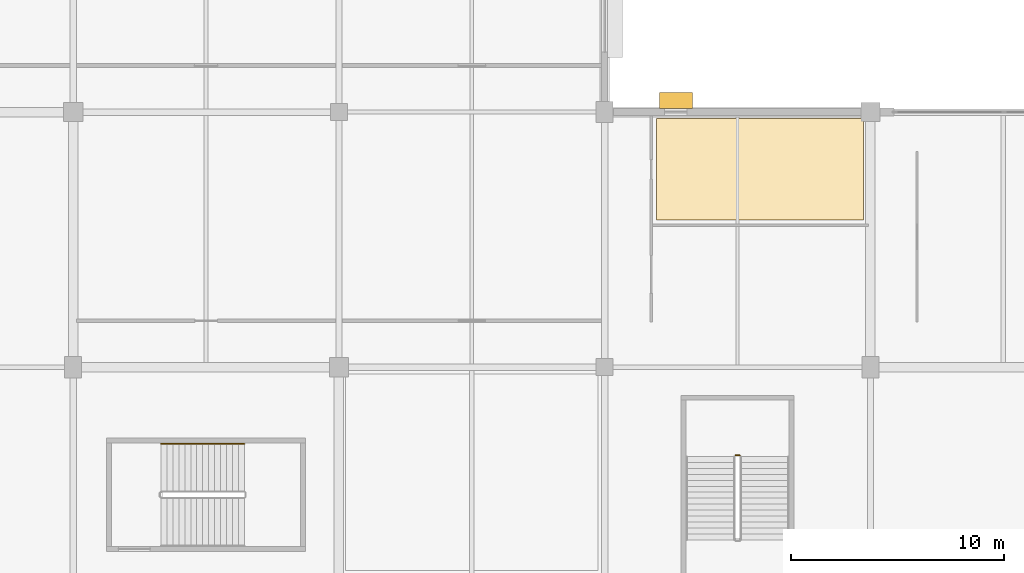
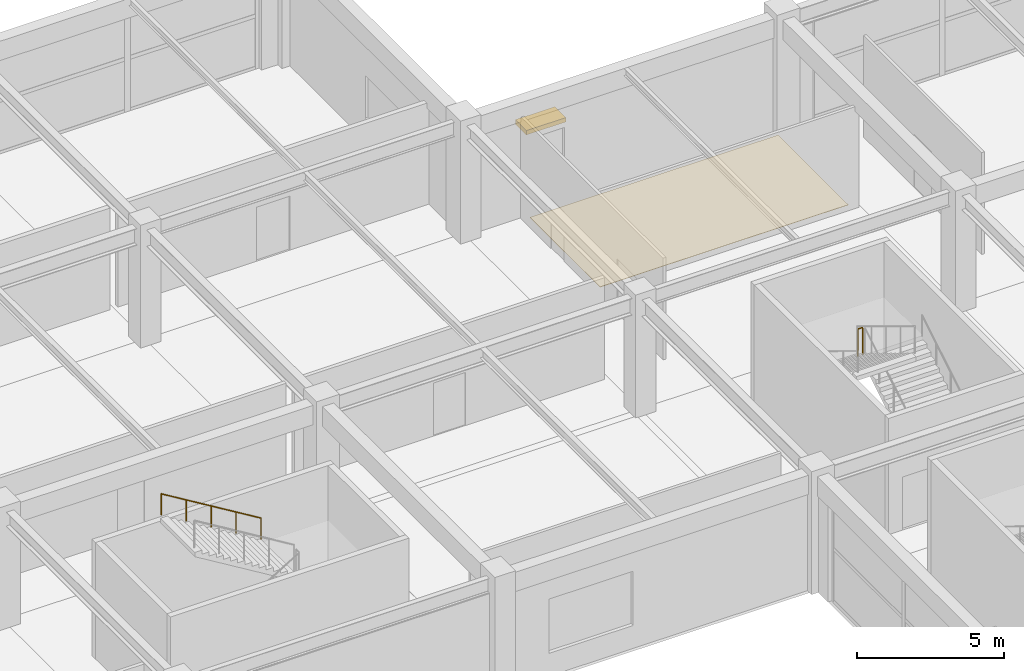
# One storey, part 115 of 116: 2 railings, 1 covering, 1 shading device.
"""IFC4 building model written with IfcOpenShell, lengths in metres."""

from ifc_helpers import new_model, si_unit, direction, frame, origin, origin_2d, place, context, subcontext, project, spatial, polyline, rectangle, circle, outline, extrude, material, layer, layer_set, type_object, element, save


model = new_model("IFC4")

# Units and contexts
model_context = context("Model", 3, precision=1e-05, world=origin(), true_north=direction((0.0, 1.0)))
body_context = subcontext(model_context, "Body", "Model", "MODEL_VIEW")
ifc_project = project(units=[si_unit("LENGTHUNIT", "METRE"), si_unit("AREAUNIT", "SQUARE_METRE"), si_unit("VOLUMEUNIT", "CUBIC_METRE"), si_unit("PLANEANGLEUNIT", "RADIAN"), si_unit("MASSUNIT", "GRAM", prefix="KILO")], contexts=[model_context])

# Site, building, storey
site_placement = place(None, origin())
site = spatial("IfcSite", under=ifc_project, at=site_placement, CompositionType="ELEMENT")
building_placement = place(site_placement, origin())
building = spatial("IfcBuilding", under=site, at=building_placement, Name="Kazenohara Klinker Stadium", CompositionType="ELEMENT")
storey_placement = place(building_placement, frame((0.0, 0.0, 10.199951171875)))
storey = spatial("IfcBuildingStorey", under=building, at=storey_placement, Name="L02", CompositionType="ELEMENT", Elevation=10.199951171875)

# Covering
ifc_material_1 = material(Name="Cushioned EPDM sports rubber flooring", Category="rubber")
ifc_layer_1 = layer(ifc_material_1, 0.014892578125)
ifc_layer_set_1 = layer_set([ifc_layer_1], Name="Cushioned EPDM sports rubber flooring")
covering_type = type_object("IfcCoveringType", Name="COV-FLR-02", PredefinedType="FLOORING", material=ifc_layer_set_1)
covering_placement = place(storey_placement, origin())
element("IfcCovering", 1, at=covering_placement, inside=storey, type_object=covering_type, Name="Interior floor finish FL02 Club Level Sommelier Wine Bar L02-1412B", PredefinedType="FLOORING", context=body_context, shape_type="SweptSolid", body=[
    extrude(outline(polyline([(177.429931640625, 150.91845703125), (187.169921875, 150.91845703125), (187.169921875, 155.68994140625), (177.429931640625, 155.68994140625), (177.429931640625, 150.91845703125)])), origin(), (0.0, 0.0, 1.0), 0.01513671875),
])

# Railings
ifc_material_2 = material(Name="Brushed stainless steel 304 handrail", Category="steel")
ifc_layer_2 = layer(ifc_material_2, 0.050048828125)
ifc_layer_set_2 = layer_set([ifc_layer_2], Name="Brushed stainless steel 304 handrail")
railing_type_1 = type_object("IfcRailingType", Name="RL-HND-900", PredefinedType="HANDRAIL", material=ifc_layer_set_2)
railing_1_placement = place(storey_placement, frame((158.050048828125, 140.389892578125, 2.719970703125)))
element("IfcRailing", 2, at=railing_1_placement, inside=storey, type_object=railing_type_1, Name="L02 ST20 stair handrail 2", PredefinedType="HANDRAIL", context=body_context, shape_type="SweptSolid", body=[
    extrude(circle(Radius=0.02392578125, at=origin_2d()), frame((0.0, 0.0, 0.8759765625), z_axis=(-0.854784984964, 0.0, 0.518982301701), x_axis=(0.0, -1.0, 0.0)), (0.0, 0.0, 1.0), 4.586181640625),
    extrude(circle(Radius=0.02099609375, at=origin_2d()), origin(), (0.0, 0.0, 1.0), 0.851806640625),
    extrude(circle(Radius=0.02099609375, at=origin_2d()), frame((-0.97998046875, 0.0, 0.594970703125)), (0.0, 0.0, 1.0), 0.851806640625),
    extrude(circle(Radius=0.02099609375, at=origin_2d()), frame((-1.9599609375, 0.0, 1.18994140625)), (0.0, 0.0, 1.0), 0.851806640625),
    extrude(circle(Radius=0.02099609375, at=origin_2d()), frame((-2.940185546875, 0.0, 1.78515625)), (0.0, 0.0, 1.0), 0.851806640625),
    extrude(circle(Radius=0.02099609375, at=origin_2d()), frame((-3.920166015625, 0.0, 2.380126953125)), (0.0, 0.0, 1.0), 0.851806640625),
])
ifc_material_3 = material(Name="Painted steel stairwell guardrail", Category="steel")
ifc_layer_3 = layer(ifc_material_3, 0.06005859375)
ifc_layer_set_3 = layer_set([ifc_layer_3], Name="Painted steel stairwell guardrail")
railing_type_2 = type_object("IfcRailingType", Name="RL-STG-1120", PredefinedType="GUARDRAIL", material=ifc_layer_set_3)
railing_2_placement = place(storey_placement, frame((181.35009765625, 139.85009765625, 2.550048828125)))
element("IfcRailing", 3, at=railing_2_placement, inside=storey, type_object=railing_type_2, Name="L02 ST12 stair guard 2", PredefinedType="GUARDRAIL", context=body_context, shape_type="SweptSolid", body=[
    extrude(circle(Radius=0.02392578125, at=origin_2d()), frame((0.0, 0.0, 1.1259765625), z_axis=(-1.0, 0.0, 0.0), x_axis=(0.0, -1.0, 0.0)), (0.0, 0.0, 1.0), 0.2001953125),
    extrude(circle(Radius=0.02099609375, at=origin_2d()), origin(), (0.0, 0.0, 1.0), 1.101806640625),
    extrude(circle(Radius=0.02099609375, at=origin_2d()), frame((-0.2001953125, 0.0, 0.0)), (0.0, 0.0, 1.0), 1.101806640625),
])

# Shading device
ifc_material_4 = material(Name="Bronze-anodised aluminium snow-hood sunshade", Category="aluminium")
shading_device_type = type_object("IfcShadingDeviceType", Name="SHD-SUN-02", PredefinedType="AWNING", material=ifc_material_4)
shading_device_placement = place(storey_placement, frame((178.344970703125, 156.5400390625, 3.08984375), z_axis=(0.0, 0.0, 1.0), x_axis=(1.0, 0.0, 0.0)))
element("IfcShadingDevice", 4, at=shading_device_placement, inside=storey, type_object=shading_device_type, Name="Bronze snow-hood sunshade SS02-20", PredefinedType="AWNING", context=body_context, shape_type="SweptSolid", body=[
    extrude(rectangle(XDim=1.550048828125, YDim=0.75, at=origin_2d()), origin(), (0.0, 0.0, 1.0), 0.179931640625),
])

save(model, "model.ifc")
